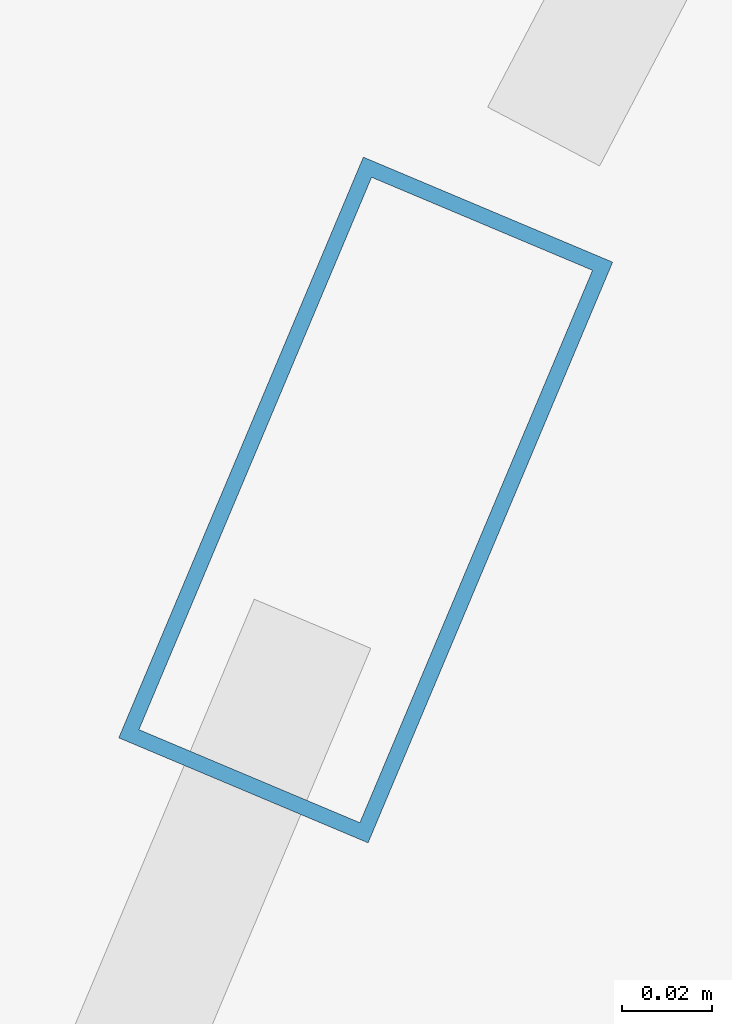
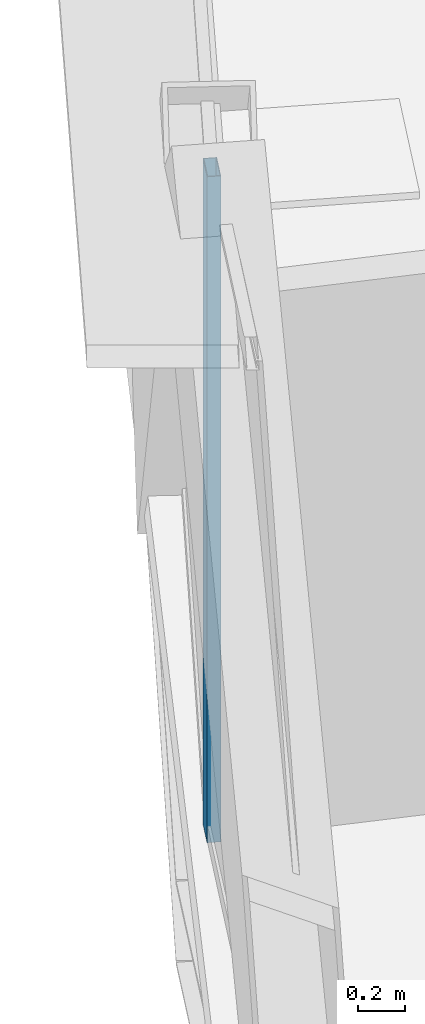
# One storey, part 8 of 35: 1 member, 1 element without a shape of its own.
"""IFC4 building model written with IfcOpenShell, lengths in metres."""

from ifc_helpers import new_model, si_unit, direction, frame, origin, origin_2d, place, context, subcontext, project, spatial, hollow_rectangle, extrude, source, transform, mapped, material, layer, layer_set, material_profile, profile_set, type_object, element, aggregate, save


model = new_model("IFC4")

# Units and contexts
model_context = context("Model", 3, precision=1e-05, world=origin(), true_north=direction((0.0, 1.0)))
body_context = subcontext(model_context, "Body", "Model", "MODEL_VIEW")
ifc_project = project(units=[si_unit("LENGTHUNIT", "METRE"), si_unit("AREAUNIT", "SQUARE_METRE"), si_unit("VOLUMEUNIT", "CUBIC_METRE"), si_unit("PLANEANGLEUNIT", "RADIAN"), si_unit("MASSUNIT", "GRAM", prefix="KILO"), si_unit("THERMODYNAMICTEMPERATUREUNIT", "KELVIN"), si_unit("POWERUNIT", "WATT")], contexts=[model_context])

# Site, building, storey
site_placement = place(None, origin())
site = spatial("IfcSite", under=ifc_project, at=site_placement, CompositionType="ELEMENT")
building_placement = place(site_placement, origin())
building = spatial("IfcBuilding", under=site, at=building_placement, Name="Yunzhuo Pagoda Commons", CompositionType="ELEMENT")
storey_placement = place(building_placement, frame((0.0, 0.0, 237.070068359375)))
storey = spatial("IfcBuildingStorey", under=building, at=storey_placement, Name="L59", CompositionType="ELEMENT", Elevation=237.070068359375)

# Curtain wall, member
ifc_material = material(Name="Anodized aluminium 6063-T6", Category="aluminium")
ifc_layer = layer(ifc_material, 0.139892578125)
ifc_layer_set = layer_set([ifc_layer], Name="Anodized aluminium 6063-T6")
curtain_wall_type = type_object("IfcCurtainWallType", Name="CW-HI High-Zone Ribbon Curtain Wall", PredefinedType="NOTDEFINED", material=ifc_layer_set)
curtain_wall_placement = place(storey_placement, origin())
curtain_wall = element("IfcCurtainWall", 1, at=curtain_wall_placement, inside=storey, type_object=curtain_wall_type, Name="L59 curtain wall CW-L59-F3B4", PredefinedType="NOTDEFINED")
ifc_material_profile = material_profile(ifc_material, hollow_rectangle(XDim=0.06005859375, YDim=0.139892578125, WallThickness=0.00341796875, at=origin_2d()), Name="Anodized aluminium 6063-T6")
ifc_profile_set = profile_set([ifc_material_profile], Name="Anodized aluminium 6063-T6")
member_type = type_object("IfcMemberType", Name="CW-HI-M Mullion RHS 140x60x3.5", PredefinedType="MULLION", material=ifc_profile_set)
shared_shape = source(origin(), body_context, "Body", "SweptSolid", [
    extrude(hollow_rectangle(XDim=0.06005859375, YDim=0.139892578125, WallThickness=0.00341796875, at=origin_2d()), origin(), (0.0, 0.0, 1.0), 3.469970703125),
])
member_placement = place(storey_placement, frame((19.14404296875, 43.04443359375, 0.0), z_axis=(0.0, 0.0, 1.0), x_axis=(0.92158893956, -0.388167266112, 0.0)))
member = element("IfcMember", 2, at=member_placement, type_object=member_type, Name="CW mullion 1", PredefinedType="MULLION", context=body_context, shape_type="MappedRepresentation", body=[
    mapped(shared_shape, transform((0.0, 0.0, 0.0), scale=1.0)),
])
aggregate(curtain_wall, [member])

save(model, "model.ifc")
